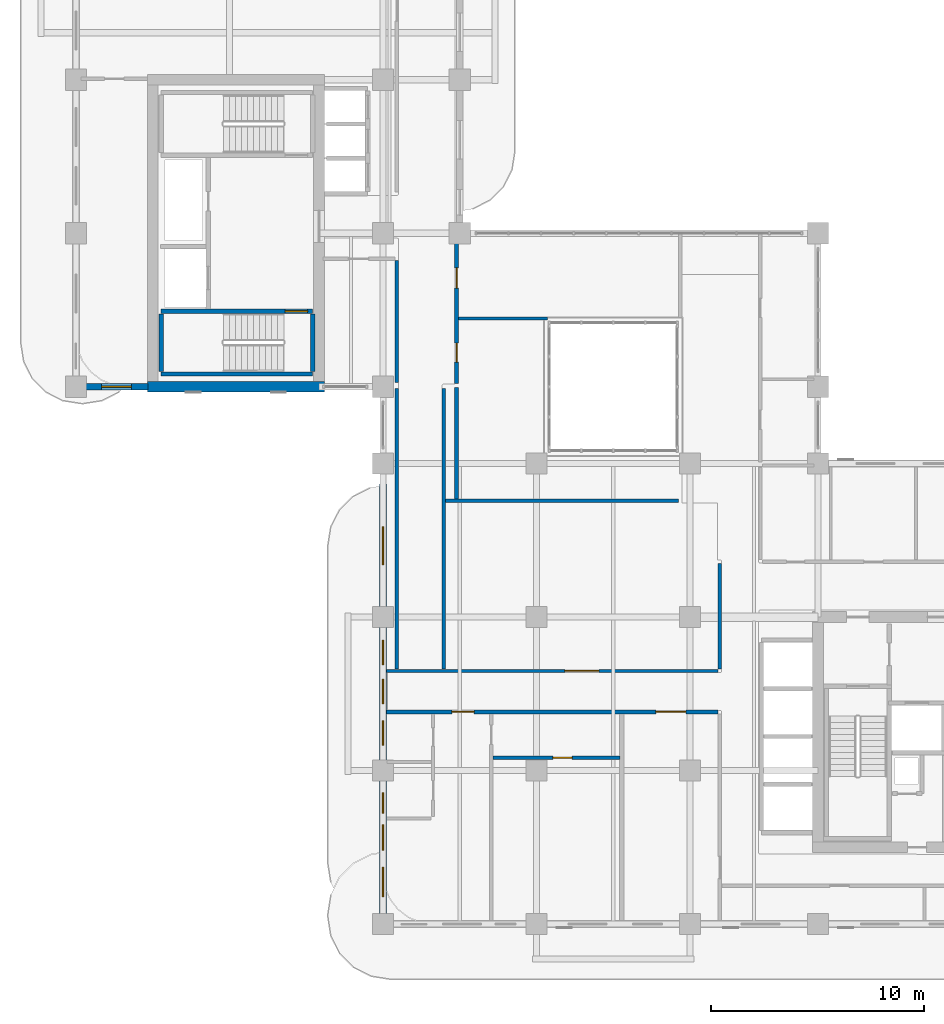
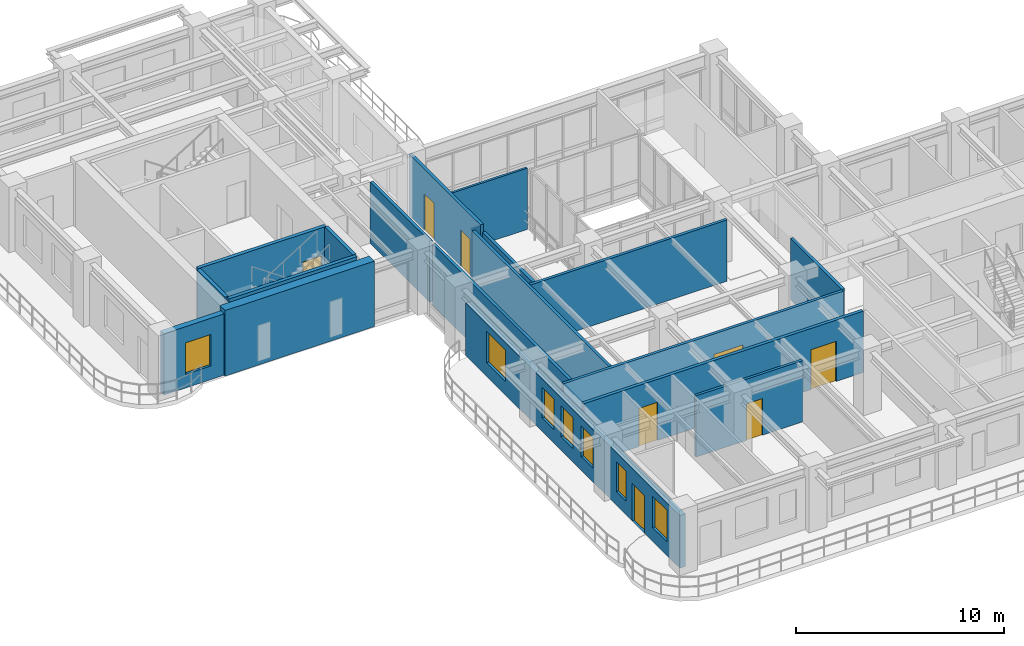
# One storey, part 11 of 20: 18 walls, 8 doors, 7 windows, 15 openings.
"""IFC4 building model written with IfcOpenShell, lengths in metres."""

from ifc_helpers import new_model, si_unit, derived_unit, direction, frame, frame_2d, origin, place, context, subcontext, project, spatial, rectangle, extrude, source, transform, mapped, material, layer, layer_set, type_object, type_shapes, element, fill, save


model = new_model("IFC4")

# Units and contexts
model_context = context("Model", 3, precision=1e-05, world=origin(), true_north=direction((0.0, 1.0)))
body_context = subcontext(model_context, "Body", "Model", "MODEL_VIEW")
ifc_project = project(units=[si_unit("LENGTHUNIT", "METRE"), si_unit("AREAUNIT", "SQUARE_METRE"), si_unit("VOLUMEUNIT", "CUBIC_METRE"), si_unit("PLANEANGLEUNIT", "RADIAN"), si_unit("MASSUNIT", "GRAM", prefix="KILO"), si_unit("THERMODYNAMICTEMPERATUREUNIT", "KELVIN"), si_unit("POWERUNIT", "WATT"), derived_unit("THERMALTRANSMITTANCEUNIT", [(si_unit("POWERUNIT", "WATT"), 1), (si_unit("AREAUNIT", "SQUARE_METRE"), -1), (si_unit("THERMODYNAMICTEMPERATUREUNIT", "KELVIN"), -1)])], contexts=[model_context])

# Site, building, storey
site_placement = place(None, origin())
site = spatial("IfcSite", under=ifc_project, at=site_placement, CompositionType="ELEMENT")
building_placement = place(site_placement, origin())
building = spatial("IfcBuilding", under=site, at=building_placement, Name="Zahravan Archway Hotel and Residences", CompositionType="ELEMENT")
storey_placement = place(building_placement, frame((0.0, 0.0, 154.14990234375)))
storey = spatial("IfcBuildingStorey", under=building, at=storey_placement, Name="L38", CompositionType="ELEMENT", Elevation=154.14990234375)

# Wall
ifc_material_1 = material(Name="Concrete C60/75", Category="concrete")
ifc_layer_1 = layer(ifc_material_1, 0.5, Name="Concrete C60/75", Category="concrete")
ifc_layer_set_1 = layer_set([ifc_layer_1], Name="Concrete C60/75")
wall_type_1 = type_object("IfcWallType", Name="CW-CORE-500", PredefinedType="SHEAR", material=ifc_layer_set_1)
wall_1_placement = place(storey_placement, frame((3.35009765625, 25.199951171875, 0.0), z_axis=(0.0, 0.0, 1.0), x_axis=(1.0, 0.0, 0.0)))
element("IfcWall", 1, at=wall_1_placement, inside=storey, type_object=wall_type_1, Name="L38 Core B Shear S Wall 500 mm", PredefinedType="SHEAR", context=body_context, shape_type="SweptSolid", body=[
    extrude(rectangle(XDim=8.2998046875, YDim=0.5, at=frame_2d((4.14990234375, 0.0))), origin(), (0.0, 0.0, 1.0), 3.85009765625),
])

# Wall, openings, door, windows
ifc_material_2 = material(Name="Agra Buff Sandstone & Insulated Backup", Category="masonry")
ifc_layer_2 = layer(ifc_material_2, 0.320068359375, Name="Agra Buff Sandstone & Insulated Backup", Category="masonry")
ifc_layer_set_2 = layer_set([ifc_layer_2], Name="Agra Buff Sandstone & Insulated Backup")
wall_type_2 = type_object("IfcWallType", Name="EW-SAND-320", PredefinedType="SOLIDWALL", material=ifc_layer_set_2)
wall_2_placement = place(storey_placement, frame((14.39990234375, 0.050048828125, 0.0), z_axis=(0.0, 0.0, 1.0), x_axis=(0.0, 1.0, 0.0)))
wall_2 = element("IfcWall", 2, at=wall_2_placement, inside=storey, type_object=wall_type_2, Name="L38 Exterior Sandstone Wall WA-WL", PredefinedType="SOLIDWALL", context=body_context, shape_type="SweptSolid", body=[
    extrude(rectangle(XDim=20.599853515625, YDim=0.320068359375, at=frame_2d((10.2998046875, 0.0))), origin(), (0.0, 0.0, 1.0), 3.085205078125),
])
opening_1_placement = place(wall_2_placement, frame((3.39990234375, 0.0, 0.0)))
opening_1 = element("IfcOpeningElement", 3, at=opening_1_placement, cuts=wall_2, Name="Opening ED-BL1", PredefinedType="OPENING", context=body_context, shape_type="SweptSolid", body=[
    extrude(rectangle(XDim=1.199951171875, YDim=2.199951171875, at=frame_2d((0.60009765625, 1.10009765625))), frame((0.0, 0.169921875, 0.0), z_axis=(0.0, -1.0, 0.0), x_axis=(1.0, 0.0, 0.0)), (0.0, 0.0, 1.0), 0.340087890625),
])
opening_2_placement = place(wall_2_placement, frame((1.22509765625, 0.0, 0.800048828125)))
opening_2 = element("IfcOpeningElement", 4, at=opening_2_placement, cuts=wall_2, Name="Opening W-03", PredefinedType="OPENING", context=body_context, shape_type="SweptSolid", body=[
    extrude(rectangle(XDim=1.39990234375, YDim=1.85009765625, at=frame_2d((0.699951171875, 0.925048828125))), frame((0.0, 0.169921875, 0.0), z_axis=(0.0, -1.0, 0.0), x_axis=(1.0, 0.0, 0.0)), (0.0, 0.0, 1.0), 0.340087890625),
])
opening_3_placement = place(wall_2_placement, frame((5.154052734375, 0.0, 0.800048828125)))
opening_3 = element("IfcOpeningElement", 5, at=opening_3_placement, cuts=wall_2, Name="Opening W-04", PredefinedType="OPENING", context=body_context, shape_type="SweptSolid", body=[
    extrude(rectangle(XDim=0.949951171875, YDim=1.75, at=frame_2d((0.47509765625, 0.875))), frame((0.0, 0.169921875, 0.0), z_axis=(0.0, -1.0, 0.0), x_axis=(1.0, 0.0, 0.0)), (0.0, 0.0, 1.0), 0.340087890625),
])
opening_4_placement = place(wall_2_placement, frame((8.345947265625, 0.0, 0.800048828125)))
opening_4 = element("IfcOpeningElement", 6, at=opening_4_placement, cuts=wall_2, Name="Opening W-05", PredefinedType="OPENING", context=body_context, shape_type="SweptSolid", body=[
    extrude(rectangle(XDim=1.14990234375, YDim=1.800048828125, at=frame_2d((0.574951171875, 0.89990234375))), frame((0.0, 0.169921875, 0.0), z_axis=(0.0, -1.0, 0.0), x_axis=(1.0, 0.0, 0.0)), (0.0, 0.0, 1.0), 0.340087890625),
])
opening_5_placement = place(wall_2_placement, frame((10.284912109375, 0.0, 0.800048828125)))
opening_5 = element("IfcOpeningElement", 7, at=opening_5_placement, cuts=wall_2, Name="Opening W-05", PredefinedType="OPENING", context=body_context, shape_type="SweptSolid", body=[
    extrude(rectangle(XDim=1.14990234375, YDim=1.800048828125, at=frame_2d((0.574951171875, 0.89990234375))), frame((0.0, 0.169921875, 0.0), z_axis=(0.0, -1.0, 0.0), x_axis=(1.0, 0.0, 0.0)), (0.0, 0.0, 1.0), 0.340087890625),
])
opening_6_placement = place(wall_2_placement, frame((12.114013671875, 0.0, 0.800048828125)))
opening_6 = element("IfcOpeningElement", 8, at=opening_6_placement, cuts=wall_2, Name="Opening W-05", PredefinedType="OPENING", context=body_context, shape_type="SweptSolid", body=[
    extrude(rectangle(XDim=1.14990234375, YDim=1.800048828125, at=frame_2d((0.574951171875, 0.89990234375))), frame((0.0, 0.169921875, 0.0), z_axis=(0.0, -1.0, 0.0), x_axis=(1.0, 0.0, 0.0)), (0.0, 0.0, 1.0), 0.340087890625),
])
opening_7_placement = place(wall_2_placement, frame((16.7900390625, 0.0, 0.800048828125)))
opening_7 = element("IfcOpeningElement", 9, at=opening_7_placement, cuts=wall_2, Name="Opening W-02", PredefinedType="OPENING", context=body_context, shape_type="SweptSolid", body=[
    extrude(rectangle(XDim=1.800048828125, YDim=1.85009765625, at=frame_2d((0.89990234375, 0.925048828125))), frame((0.0, 0.169921875, 0.0), z_axis=(0.0, -1.0, 0.0), x_axis=(1.0, 0.0, 0.0)), (0.0, 0.0, 1.0), 0.340087890625),
])
ifc_material_3 = material(Name="Bronze-Anodized Glazed Aluminium", Category="aluminium")
door_type_1 = type_object("IfcDoorType", Name="ED-BALC-1200", OperationType="SLIDING_TO_LEFT", PredefinedType="DOOR", material=ifc_material_3)
shared_shape_1 = source(origin(), body_context, "Body", "SweptSolid", [
    extrude(rectangle(XDim=1.199951171875, YDim=2.199951171875, at=frame_2d((0.60009765625, 1.10009765625))), frame((0.0, 0.02490234375, 0.0), z_axis=(0.0, -1.0, 0.0), x_axis=(1.0, 0.0, 0.0)), (0.0, 0.0, 1.0), 0.050048828125),
])
type_shapes(door_type_1, [shared_shape_1])
door_1_placement = place(opening_1_placement, origin())
door_1 = element("IfcDoor", 10, at=door_1_placement, inside=storey, type_object=door_type_1, Name="L38 Outdoor Access Sliding Door (SLB-BAL-L38-WA)", OperationType="SLIDING_TO_LEFT", OverallHeight=2.199951171875, OverallWidth=1.199951171875, PredefinedType="DOOR", context=body_context, shape_type="MappedRepresentation", body=[
    mapped(shared_shape_1, transform((0.0, 0.0, 0.0), scale=1.0)),
])
fill(opening_1, door_1)
ifc_material_4 = material(Name="Bronze-Anodized Thermal-Break Aluminium & Low-E Glass", Category="aluminium")
window_type_1 = type_object("IfcWindowType", Name="WIN-TWR-1400", PartitioningType="SINGLE_PANEL", PredefinedType="WINDOW", material=ifc_material_4)
shared_shape_2 = source(origin(), body_context, "Body", "SweptSolid", [
    extrude(rectangle(XDim=1.39990234375, YDim=1.85009765625, at=frame_2d((0.699951171875, 0.925048828125))), frame((0.0, 0.030029296875, 0.0), z_axis=(0.0, -1.0, 0.0), x_axis=(1.0, 0.0, 0.0)), (0.0, 0.0, 1.0), 0.06005859375),
])
type_shapes(window_type_1, [shared_shape_2])
window_1_placement = place(opening_2_placement, origin())
window_1 = element("IfcWindow", 11, at=window_1_placement, inside=storey, type_object=window_type_1, Name="L38 Loggia Window 15", OverallHeight=1.85009765625, OverallWidth=1.39990234375, PartitioningType="SINGLE_PANEL", PredefinedType="WINDOW", context=body_context, shape_type="MappedRepresentation", body=[
    mapped(shared_shape_2, transform((0.0, 0.0, 0.0), scale=1.0)),
])
fill(opening_2, window_1)
window_type_2 = type_object("IfcWindowType", Name="WIN-NAR-950", PartitioningType="SINGLE_PANEL", PredefinedType="WINDOW", material=ifc_material_4)
shared_shape_3 = source(origin(), body_context, "Body", "SweptSolid", [
    extrude(rectangle(XDim=0.949951171875, YDim=1.75, at=frame_2d((0.47509765625, 0.875))), frame((0.0, 0.030029296875, 0.0), z_axis=(0.0, -1.0, 0.0), x_axis=(1.0, 0.0, 0.0)), (0.0, 0.0, 1.0), 0.06005859375),
])
type_shapes(window_type_2, [shared_shape_3])
window_2_placement = place(opening_3_placement, origin())
window_2 = element("IfcWindow", 12, at=window_2_placement, inside=storey, type_object=window_type_2, Name="L38 Loggia Window 16", OverallHeight=1.75, OverallWidth=0.949951171875, PartitioningType="SINGLE_PANEL", PredefinedType="WINDOW", context=body_context, shape_type="MappedRepresentation", body=[
    mapped(shared_shape_3, transform((0.0, 0.0, 0.0), scale=1.0)),
])
fill(opening_3, window_2)
window_type_3 = type_object("IfcWindowType", Name="WIN-TWR-1800", PartitioningType="DOUBLE_PANEL_VERTICAL", PredefinedType="WINDOW", material=ifc_material_4)
shared_shape_4 = source(origin(), body_context, "Body", "SweptSolid", [
    extrude(rectangle(XDim=1.800048828125, YDim=1.85009765625, at=frame_2d((0.89990234375, 0.925048828125))), frame((0.0, 0.030029296875, 0.0), z_axis=(0.0, -1.0, 0.0), x_axis=(1.0, 0.0, 0.0)), (0.0, 0.0, 1.0), 0.06005859375),
])
type_shapes(window_type_3, [shared_shape_4])
window_3_placement = place(opening_7_placement, origin())
window_3 = element("IfcWindow", 13, at=window_3_placement, inside=storey, type_object=window_type_3, Name="L38 Loggia Window 20", OverallHeight=1.85009765625, OverallWidth=1.800048828125, PartitioningType="DOUBLE_PANEL_VERTICAL", PredefinedType="WINDOW", context=body_context, shape_type="MappedRepresentation", body=[
    mapped(shared_shape_4, transform((0.0, 0.0, 0.0), scale=1.0)),
])
fill(opening_7, window_3)
window_type_4 = type_object("IfcWindowType", Name="WIN-TWR-1150", PartitioningType="SINGLE_PANEL", PredefinedType="WINDOW", material=ifc_material_4)
shared_shape_5 = source(origin(), body_context, "Body", "SweptSolid", [
    extrude(rectangle(XDim=1.14990234375, YDim=1.800048828125, at=frame_2d((0.574951171875, 0.89990234375))), frame((0.0, 0.030029296875, 0.0), z_axis=(0.0, -1.0, 0.0), x_axis=(1.0, 0.0, 0.0)), (0.0, 0.0, 1.0), 0.06005859375),
])
type_shapes(window_type_4, [shared_shape_5])
window_4_placement = place(opening_4_placement, origin())
window_4 = element("IfcWindow", 14, at=window_4_placement, inside=storey, type_object=window_type_4, Name="L38 Loggia Window 17", OverallHeight=1.800048828125, OverallWidth=1.14990234375, PartitioningType="SINGLE_PANEL", PredefinedType="WINDOW", context=body_context, shape_type="MappedRepresentation", body=[
    mapped(shared_shape_5, transform((0.0, 0.0, 0.0), scale=1.0)),
])
fill(opening_4, window_4)
window_5_placement = place(opening_5_placement, origin())
window_5 = element("IfcWindow", 15, at=window_5_placement, inside=storey, type_object=window_type_4, Name="L38 Loggia Window 18", OverallHeight=1.800048828125, OverallWidth=1.14990234375, PartitioningType="SINGLE_PANEL", PredefinedType="WINDOW", context=body_context, shape_type="MappedRepresentation", body=[
    mapped(shared_shape_5, transform((0.0, 0.0, 0.0), scale=1.0)),
])
fill(opening_5, window_5)
window_6_placement = place(opening_6_placement, origin())
window_6 = element("IfcWindow", 16, at=window_6_placement, inside=storey, type_object=window_type_4, Name="L38 Loggia Window 19", OverallHeight=1.800048828125, OverallWidth=1.14990234375, PartitioningType="SINGLE_PANEL", PredefinedType="WINDOW", context=body_context, shape_type="MappedRepresentation", body=[
    mapped(shared_shape_5, transform((0.0, 0.0, 0.0), scale=1.0)),
])
fill(opening_6, window_6)

# Wall, opening, window
wall_3_placement = place(storey_placement, frame((0.0, 25.199951171875, 0.0), z_axis=(0.0, 0.0, 1.0), x_axis=(1.0, 0.0, 0.0)))
wall_3 = element("IfcWall", 17, at=wall_3_placement, inside=storey, type_object=wall_type_2, Name="L38 Exterior Sandstone Wall WB-SW", PredefinedType="SOLIDWALL", context=body_context, shape_type="SweptSolid", body=[
    extrude(rectangle(XDim=3.3798828125, YDim=0.320068359375, at=frame_2d((1.68994140625, 0.0))), origin(), (0.0, 0.0, 1.0), 3.60009765625),
])
opening_8_placement = place(wall_3_placement, frame((1.205078125, 0.0, 0.800048828125)))
opening_8 = element("IfcOpeningElement", 18, at=opening_8_placement, cuts=wall_3, Name="Opening W-03", PredefinedType="OPENING", context=body_context, shape_type="SweptSolid", body=[
    extrude(rectangle(XDim=1.39990234375, YDim=1.85009765625, at=frame_2d((0.699951171875, 0.925048828125))), frame((0.0, 0.169921875, 0.0), z_axis=(0.0, -1.0, 0.0), x_axis=(1.0, 0.0, 0.0)), (0.0, 0.0, 1.0), 0.340087890625),
])
window_7_placement = place(opening_8_placement, origin())
window_7 = element("IfcWindow", 19, at=window_7_placement, inside=storey, type_object=window_type_1, Name="L38 Loggia Window 21", OverallHeight=1.85009765625, OverallWidth=1.39990234375, PartitioningType="SINGLE_PANEL", PredefinedType="WINDOW", context=body_context, shape_type="MappedRepresentation", body=[
    mapped(shared_shape_2, transform((0.0, 0.0, 0.0), scale=1.0)),
])
fill(opening_8, window_7)

# Wall, opening, door
ifc_material_5 = material(Name="Fire-Rated Gypsum & Concrete Block", Category="concrete")
ifc_layer_3 = layer(ifc_material_5, 0.159912109375, Name="Fire-Rated Gypsum & Concrete Block", Category="concrete")
ifc_layer_set_3 = layer_set([ifc_layer_3], Name="Fire-Rated Gypsum & Concrete Block")
wall_type_3 = type_object("IfcWallType", Name="PW-CORR-160", PredefinedType="PARTITIONING", material=ifc_layer_set_3)
wall_4_placement = place(storey_placement, frame((14.568115234375, 11.8701171875, 0.0), z_axis=(0.0, 0.0, 1.0), x_axis=(1.0, 0.0, 0.0)))
wall_4 = element("IfcWall", 20, at=wall_4_placement, inside=storey, type_object=wall_type_3, Name="L38 Partition WA-CN", PredefinedType="PARTITIONING", context=body_context, shape_type="SweptSolid", body=[
    extrude(rectangle(XDim=15.5419921875, YDim=0.159912109375, at=frame_2d((7.77099609375, 0.0))), origin(), (0.0, 0.0, 1.0), 3.60009765625),
])
opening_9_placement = place(wall_4_placement, frame((8.35693359375, 0.0, 0.0)))
opening_9 = element("IfcOpeningElement", 21, at=opening_9_placement, cuts=wall_4, Name="Opening D-P2", PredefinedType="OPENING", context=body_context, shape_type="SweptSolid", body=[
    extrude(rectangle(XDim=1.60009765625, YDim=2.39990234375, at=frame_2d((0.800048828125, 1.199951171875))), frame((0.0, 0.08984375, 0.0), z_axis=(0.0, -1.0, 0.0), x_axis=(1.0, 0.0, 0.0)), (0.0, 0.0, 1.0), 0.179931640625),
])
door_type_2 = type_object("IfcDoorType", Name="ID-PUBLIC-1600", OperationType="DOUBLE_DOOR_SINGLE_SWING", PredefinedType="DOOR", material=ifc_material_3)
shared_shape_6 = source(origin(), body_context, "Body", "SweptSolid", [
    extrude(rectangle(XDim=1.60009765625, YDim=2.39990234375, at=frame_2d((0.800048828125, 1.199951171875))), frame((0.0, 0.02490234375, 0.0), z_axis=(0.0, -1.0, 0.0), x_axis=(1.0, 0.0, 0.0)), (0.0, 0.0, 1.0), 0.050048828125),
])
type_shapes(door_type_2, [shared_shape_6])
door_2_placement = place(opening_9_placement, origin())
door_2 = element("IfcDoor", 22, at=door_2_placement, inside=storey, type_object=door_type_2, Name="L38 Atrium Spa Door", OperationType="DOUBLE_DOOR_SINGLE_SWING", OverallHeight=2.39990234375, OverallWidth=1.60009765625, PredefinedType="DOOR", context=body_context, shape_type="MappedRepresentation", body=[
    mapped(shared_shape_6, transform((0.0, 0.0, 0.0), scale=1.0)),
])
fill(opening_9, door_2)

# Walls
wall_5_placement = place(storey_placement, frame((30.199951171875, 11.9599609375, 0.0), z_axis=(0.0, 0.0, 1.0), x_axis=(0.0, 1.0, 0.0)))
element("IfcWall", 23, at=wall_5_placement, inside=storey, type_object=wall_type_3, Name="L38 Partition WA-FW", PredefinedType="PARTITIONING", context=body_context, shape_type="SweptSolid", body=[
    extrude(rectangle(XDim=4.949951171875, YDim=0.159912109375, at=frame_2d((2.47509765625, 0.0))), origin(), (0.0, 0.0, 1.0), 3.60009765625),
])
for number, where, z_axis, x_axis, name in (
    (24, (15.050048828125, 11.9599609375, 0.0), (0.0, 0.0, 1.0), (0.0, 1.0, 0.0), "L38 Partition LNK-W"),
    (25, (17.25, 11.9599609375, 0.0), (0.0, 0.0, 1.0), (0.0, 1.0, 0.0), "L38 Partition LNK-E"),
):
    element("IfcWall", number, at=place(storey_placement, frame(where, z_axis=z_axis, x_axis=x_axis)), inside=storey, type_object=wall_type_3, Name=name, PredefinedType="PARTITIONING", context=body_context, shape_type="SweptSolid", body=[
        extrude(rectangle(XDim=13.150146484375, YDim=0.159912109375, at=frame_2d((6.5751953125, 0.0))), origin(), (0.0, 0.0, 1.0), 3.60009765625),
    ])
wall_6_placement = place(storey_placement, frame((15.050048828125, 25.389892578125, 0.0), z_axis=(0.0, 0.0, 1.0), x_axis=(0.0, 1.0, 0.0)))
element("IfcWall", 26, at=wall_6_placement, inside=storey, type_object=wall_type_3, Name="L38 Partition FB1-E", PredefinedType="PARTITIONING", context=body_context, shape_type="SweptSolid", body=[
    extrude(rectangle(XDim=5.72021484375, YDim=0.159912109375, at=frame_2d((2.860107421875, 0.0))), origin(), (0.0, 0.0, 1.0), 3.60009765625),
])
wall_7_placement = place(storey_placement, frame((17.340087890625, 19.85009765625, 0.0), z_axis=(0.0, 0.0, 1.0), x_axis=(1.0, 0.0, 0.0)))
element("IfcWall", 27, at=wall_7_placement, inside=storey, type_object=wall_type_3, Name="L38 Partition ATR-S", PredefinedType="PARTITIONING", context=body_context, shape_type="SweptSolid", body=[
    extrude(rectangle(XDim=10.919921875, YDim=0.159912109375, at=frame_2d((5.4599609375, 0.0))), origin(), (0.0, 0.0, 1.0), 3.60009765625),
])

# Wall, openings, doors
ifc_layer_4 = layer(ifc_material_5, 0.179931640625, Name="Fire-Rated Gypsum & Concrete Block", Category="concrete")
ifc_layer_set_4 = layer_set([ifc_layer_4], Name="Fire-Rated Gypsum & Concrete Block")
wall_type_4 = type_object("IfcWallType", Name="PW-CORR-180", PredefinedType="PARTITIONING", material=ifc_layer_set_4)
wall_8_placement = place(storey_placement, frame((14.568115234375, 9.949951171875, 0.0), z_axis=(0.0, 0.0, 1.0), x_axis=(1.0, 0.0, 0.0)))
wall_8 = element("IfcWall", 28, at=wall_8_placement, inside=storey, type_object=wall_type_4, Name="L38 Partition WA-CS", PredefinedType="PARTITIONING", context=body_context, shape_type="SweptSolid", body=[
    extrude(rectangle(XDim=15.5419921875, YDim=0.179931640625, at=frame_2d((7.77099609375, 0.0))), origin(), (0.0, 0.0, 1.0), 3.60009765625),
])
opening_10_placement = place(wall_8_placement, frame((3.06201171875, 0.0, 0.0)))
opening_10 = element("IfcOpeningElement", 29, at=opening_10_placement, cuts=wall_8, Name="Opening D-U1", PredefinedType="OPENING", context=body_context, shape_type="SweptSolid", body=[
    extrude(rectangle(XDim=1.050048828125, YDim=2.25, at=frame_2d((0.52490234375, 1.125))), frame((0.0, 0.10009765625, 0.0), z_axis=(0.0, -1.0, 0.0), x_axis=(1.0, 0.0, 0.0)), (0.0, 0.0, 1.0), 0.199951171875),
])
opening_11_placement = place(wall_8_placement, frame((12.632080078125, 0.0, 0.0)))
opening_11 = element("IfcOpeningElement", 30, at=opening_11_placement, cuts=wall_8, Name="Opening D-P1", PredefinedType="OPENING", context=body_context, shape_type="SweptSolid", body=[
    extrude(rectangle(XDim=1.39990234375, YDim=2.35009765625, at=frame_2d((0.699951171875, 1.175048828125))), frame((0.0, 0.10009765625, 0.0), z_axis=(0.0, -1.0, 0.0), x_axis=(1.0, 0.0, 0.0)), (0.0, 0.0, 1.0), 0.199951171875),
])
door_type_3 = type_object("IfcDoorType", Name="ID-PUBLIC-1400", OperationType="DOUBLE_DOOR_SINGLE_SWING", PredefinedType="DOOR", material=ifc_material_3)
shared_shape_7 = source(origin(), body_context, "Body", "SweptSolid", [
    extrude(rectangle(XDim=1.39990234375, YDim=2.35009765625, at=frame_2d((0.699951171875, 1.175048828125))), frame((0.0, 0.02490234375, 0.0), z_axis=(0.0, -1.0, 0.0), x_axis=(1.0, 0.0, 0.0)), (0.0, 0.0, 1.0), 0.050048828125),
])
type_shapes(door_type_3, [shared_shape_7])
door_3_placement = place(opening_11_placement, origin())
door_3 = element("IfcDoor", 31, at=door_3_placement, inside=storey, type_object=door_type_3, Name="L38 South Yoga Salon Door", OperationType="DOUBLE_DOOR_SINGLE_SWING", OverallHeight=2.35009765625, OverallWidth=1.39990234375, PredefinedType="DOOR", context=body_context, shape_type="MappedRepresentation", body=[
    mapped(shared_shape_7, transform((0.0, 0.0, 0.0), scale=1.0)),
])
fill(opening_11, door_3)
ifc_material_6 = material(Name="Hardwood Veneer Timber", Category="wood")
door_type_4 = type_object("IfcDoorType", Name="ID-UNIT-1050", OperationType="NOTDEFINED", PredefinedType="DOOR", material=ifc_material_6)
shared_shape_8 = source(origin(), body_context, "Body", "SweptSolid", [
    extrude(rectangle(XDim=1.050048828125, YDim=2.25, at=frame_2d((0.52490234375, 1.125))), frame((0.0, 0.02490234375, 0.0), z_axis=(0.0, -1.0, 0.0), x_axis=(1.0, 0.0, 0.0)), (0.0, 0.0, 1.0), 0.050048828125),
])
type_shapes(door_type_4, [shared_shape_8])
door_4_placement = place(opening_10_placement, origin())
door_4 = element("IfcDoor", 32, at=door_4_placement, inside=storey, type_object=door_type_4, Name="L38 Flat S1 Entrance Door", OperationType="SINGLE_SWING_RIGHT", OverallHeight=2.25, OverallWidth=1.050048828125, PredefinedType="DOOR", context=body_context, shape_type="MappedRepresentation", body=[
    mapped(shared_shape_8, transform((0.0, 0.0, 0.0), scale=1.0)),
])
fill(opening_10, door_4)

# Wall
ifc_material_7 = material(Name="Acoustic Stud Partition")
ifc_layer_5 = layer(ifc_material_7, 0.125, Name="Acoustic Stud Partition")
ifc_layer_set_5 = layer_set([ifc_layer_5], Name="Acoustic Stud Partition")
wall_type_5 = type_object("IfcWallType", Name="PW-INT-125", PredefinedType="PARTITIONING", material=ifc_layer_set_5)
wall_9_placement = place(storey_placement, frame((17.93994140625, 28.39990234375, 0.0), z_axis=(0.0, 0.0, 1.0), x_axis=(1.0, 0.0, 0.0)))
element("IfcWall", 33, at=wall_9_placement, inside=storey, type_object=wall_type_5, Name="L38 Partition ATR-NW1", PredefinedType="PARTITIONING", context=body_context, shape_type="SweptSolid", body=[
    extrude(rectangle(XDim=4.170166015625, YDim=0.125, at=frame_2d((2.0849609375, 0.0))), origin(), (0.0, 0.0, 1.0), 3.60009765625),
])

# Wall, opening, door
ifc_layer_6 = layer(ifc_material_7, 0.14990234375, Name="Acoustic Stud Partition")
ifc_layer_set_6 = layer_set([ifc_layer_6], Name="Acoustic Stud Partition")
wall_type_6 = type_object("IfcWallType", Name="PW-UNIT-150", PredefinedType="PARTITIONING", material=ifc_layer_set_6)
wall_10_placement = place(storey_placement, frame((19.570068359375, 7.800048828125, 0.0), z_axis=(0.0, 0.0, 1.0), x_axis=(1.0, 0.0, 0.0)))
wall_10 = element("IfcWall", 34, at=wall_10_placement, inside=storey, type_object=wall_type_6, Name="L38 Partition FL-S1-GH", PredefinedType="PARTITIONING", context=body_context, shape_type="SweptSolid", body=[
    extrude(rectangle(XDim=5.93994140625, YDim=0.14990234375, at=frame_2d((2.969970703125, 0.0))), origin(), (0.0, 0.0, 1.0), 3.60009765625),
])
opening_12_placement = place(wall_10_placement, frame((2.797607421875, 0.0, 0.0)))
opening_12 = element("IfcOpeningElement", 35, at=opening_12_placement, cuts=wall_10, Name="Opening D-I2", PredefinedType="OPENING", context=body_context, shape_type="SweptSolid", body=[
    extrude(rectangle(XDim=0.89990234375, YDim=2.14990234375, at=frame_2d((0.449951171875, 1.074951171875))), frame((0.0, 0.0849609375, 0.0), z_axis=(0.0, -1.0, 0.0), x_axis=(1.0, 0.0, 0.0)), (0.0, 0.0, 1.0), 0.169921875),
])
door_type_5 = type_object("IfcDoorType", Name="ID-INT-900", OperationType="NOTDEFINED", PredefinedType="DOOR", material=ifc_material_6)
shared_shape_9 = source(origin(), body_context, "Body", "SweptSolid", [
    extrude(rectangle(XDim=0.89990234375, YDim=2.14990234375, at=frame_2d((0.449951171875, 1.074951171875))), frame((0.0, 0.02490234375, 0.0), z_axis=(0.0, -1.0, 0.0), x_axis=(1.0, 0.0, 0.0)), (0.0, 0.0, 1.0), 0.050048828125),
])
type_shapes(door_type_5, [shared_shape_9])
door_5_placement = place(opening_12_placement, origin())
door_5 = element("IfcDoor", 36, at=door_5_placement, inside=storey, type_object=door_type_5, Name="L38 Flat S1 Bedroom 1 Door", OperationType="SINGLE_SWING_RIGHT", OverallHeight=2.14990234375, OverallWidth=0.89990234375, PredefinedType="DOOR", context=body_context, shape_type="MappedRepresentation", body=[
    mapped(shared_shape_9, transform((0.0, 0.0, 0.0), scale=1.0)),
])
fill(opening_12, door_5)

# Wall
ifc_layer_7 = layer(ifc_material_7, 0.169921875, Name="Acoustic Stud Partition")
ifc_layer_set_7 = layer_set([ifc_layer_7], Name="Acoustic Stud Partition")
wall_type_7 = type_object("IfcWallType", Name="PW-UNIT-170", PredefinedType="PARTITIONING", material=ifc_layer_set_7)
wall_11_placement = place(storey_placement, frame((17.85009765625, 19.93994140625, 0.0), z_axis=(0.0, 0.0, 1.0), x_axis=(0.0, 1.0, 0.0)))
element("IfcWall", 37, at=wall_11_placement, inside=storey, type_object=wall_type_7, Name="L38 Partition ATR-NWSL", PredefinedType="PARTITIONING", context=body_context, shape_type="SweptSolid", body=[
    extrude(rectangle(XDim=5.219970703125, YDim=0.169921875, at=frame_2d((2.60986328125, 0.0))), origin(), (0.0, 0.0, 1.0), 3.28515625),
])

# Wall, openings, doors
wall_12_placement = place(storey_placement, frame((17.85009765625, 25.340087890625, 0.0), z_axis=(0.0, 0.0, 1.0), x_axis=(0.0, 1.0, 0.0)))
wall_12 = element("IfcWall", 38, at=wall_12_placement, inside=storey, type_object=wall_type_7, Name="L38 Partition ATR-W2", PredefinedType="PARTITIONING", context=body_context, shape_type="SweptSolid", body=[
    extrude(rectangle(XDim=6.869873046875, YDim=0.169921875, at=frame_2d((3.43505859375, 0.0))), origin(), (0.0, 0.0, 1.0), 3.60009765625),
])
opening_13_placement = place(wall_12_placement, frame((1.010009765625, 0.0, 0.0)))
opening_13 = element("IfcOpeningElement", 39, at=opening_13_placement, cuts=wall_12, Name="Opening D-I2", PredefinedType="OPENING", context=body_context, shape_type="SweptSolid", body=[
    extrude(rectangle(XDim=0.89990234375, YDim=2.14990234375, at=frame_2d((0.449951171875, 1.074951171875))), frame((0.0, 0.094970703125, 0.0), z_axis=(0.0, -1.0, 0.0), x_axis=(1.0, 0.0, 0.0)), (0.0, 0.0, 1.0), 0.18994140625),
])
opening_14_placement = place(wall_12_placement, frame((4.485107421875, 0.0, 0.0)))
opening_14 = element("IfcOpeningElement", 40, at=opening_14_placement, cuts=wall_12, Name="Opening D-I1", PredefinedType="OPENING", context=body_context, shape_type="SweptSolid", body=[
    extrude(rectangle(XDim=0.949951171875, YDim=2.14990234375, at=frame_2d((0.47509765625, 1.074951171875))), frame((0.0, 0.094970703125, 0.0), z_axis=(0.0, -1.0, 0.0), x_axis=(1.0, 0.0, 0.0)), (0.0, 0.0, 1.0), 0.18994140625),
])
door_type_6 = type_object("IfcDoorType", Name="ID-INT-950", OperationType="NOTDEFINED", PredefinedType="DOOR", material=ifc_material_6)
shared_shape_10 = source(origin(), body_context, "Body", "SweptSolid", [
    extrude(rectangle(XDim=0.949951171875, YDim=2.14990234375, at=frame_2d((0.47509765625, 1.074951171875))), frame((0.0, 0.02490234375, 0.0), z_axis=(0.0, -1.0, 0.0), x_axis=(1.0, 0.0, 0.0)), (0.0, 0.0, 1.0), 0.050048828125),
])
type_shapes(door_type_6, [shared_shape_10])
door_6_placement = place(opening_14_placement, origin())
door_6 = element("IfcDoor", 41, at=door_6_placement, inside=storey, type_object=door_type_6, Name="L38 Atrium North Lounge Door", OperationType="SINGLE_SWING_LEFT", OverallHeight=2.14990234375, OverallWidth=0.949951171875, PredefinedType="DOOR", context=body_context, shape_type="MappedRepresentation", body=[
    mapped(shared_shape_10, transform((0.0, 0.0, 0.0), scale=1.0)),
])
fill(opening_14, door_6)
door_7_placement = place(opening_13_placement, origin())
door_7 = element("IfcDoor", 42, at=door_7_placement, inside=storey, type_object=door_type_5, Name="L38 Atrium West Study Door", OperationType="SINGLE_SWING_LEFT", OverallHeight=2.14990234375, OverallWidth=0.89990234375, PredefinedType="DOOR", context=body_context, shape_type="MappedRepresentation", body=[
    mapped(shared_shape_9, transform((0.0, 0.0, 0.0), scale=1.0)),
])
fill(opening_13, door_7)

# Walls
ifc_material_8 = material(Name="Concrete C50/60", Category="concrete")
ifc_layer_8 = layer(ifc_material_8, 0.199951171875, Name="Concrete C50/60", Category="concrete")
ifc_layer_set_8 = layer_set([ifc_layer_8], Name="Concrete C50/60")
wall_type_8 = type_object("IfcWallType", Name="SW-STAIR-200", PredefinedType="SHEAR", material=ifc_layer_set_8)
wall_13_placement = place(storey_placement, frame((4.0, 25.800048828125, 0.0), z_axis=(0.0, 0.0, 1.0), x_axis=(1.0, 0.0, 0.0)))
element("IfcWall", 43, at=wall_13_placement, inside=storey, type_object=wall_type_8, Name="L38 Stairwell RC Wall CB-SB1S", PredefinedType="SHEAR", context=body_context, shape_type="SweptSolid", body=[
    extrude(rectangle(XDim=7.10009765625, YDim=0.199951171875, at=frame_2d((3.550048828125, 0.0))), origin(), (0.0, 0.0, 1.0), 3.85009765625),
])
for number, where, z_axis, x_axis, name in (
    (44, (4.0, 25.919921875, 0.0), (0.0, 0.0, 1.0), (0.0, 1.0, 0.0), "L38 Stairwell RC Wall CB-SB1W"),
    (45, (11.10009765625, 25.919921875, 0.0), (0.0, 0.0, 1.0), (0.0, 1.0, 0.0), "L38 Stairwell RC Wall CB-SB1E"),
):
    element("IfcWall", number, at=place(storey_placement, frame(where, z_axis=z_axis, x_axis=x_axis)), inside=storey, type_object=wall_type_8, Name=name, PredefinedType="SHEAR", context=body_context, shape_type="SweptSolid", body=[
        extrude(rectangle(XDim=2.7001953125, YDim=0.199951171875, at=frame_2d((1.35009765625, 0.0))), origin(), (0.0, 0.0, 1.0), 3.85009765625),
    ])

# Wall, opening, door
wall_14_placement = place(storey_placement, frame((4.0, 28.739990234375, 0.0), z_axis=(0.0, 0.0, 1.0), x_axis=(1.0, 0.0, 0.0)))
wall_14 = element("IfcWall", 46, at=wall_14_placement, inside=storey, type_object=wall_type_8, Name="L38 Stairwell RC Wall CB-SB1N", PredefinedType="SHEAR", context=body_context, shape_type="SweptSolid", body=[
    extrude(rectangle(XDim=7.10009765625, YDim=0.199951171875, at=frame_2d((3.550048828125, 0.0))), origin(), (0.0, 0.0, 1.0), 3.85009765625),
])
opening_15_placement = place(wall_14_placement, frame((5.81494140625, 0.0, 0.0)))
opening_15 = element("IfcOpeningElement", 47, at=opening_15_placement, cuts=wall_14, Name="Opening FD-S1", PredefinedType="OPENING", context=body_context, shape_type="SweptSolid", body=[
    extrude(rectangle(XDim=1.050048828125, YDim=2.199951171875, at=frame_2d((0.52490234375, 1.10009765625))), frame((0.0, 0.10986328125, 0.0), z_axis=(0.0, -1.0, 0.0), x_axis=(1.0, 0.0, 0.0)), (0.0, 0.0, 1.0), 0.219970703125),
])
ifc_material_9 = material(Name="Fire-Rated Painted Steel", Category="steel")
door_type_7 = type_object("IfcDoorType", Name="FD-STAIR-1100", OperationType="NOTDEFINED", PredefinedType="DOOR", material=ifc_material_9)
shared_shape_11 = source(origin(), body_context, "Body", "SweptSolid", [
    extrude(rectangle(XDim=1.050048828125, YDim=2.199951171875, at=frame_2d((0.52490234375, 1.10009765625))), frame((0.0, 0.02490234375, 0.0), z_axis=(0.0, -1.0, 0.0), x_axis=(1.0, 0.0, 0.0)), (0.0, 0.0, 1.0), 0.050048828125),
])
type_shapes(door_type_7, [shared_shape_11])
door_8_placement = place(opening_15_placement, origin())
door_8 = element("IfcDoor", 48, at=door_8_placement, inside=storey, type_object=door_type_7, Name="L38 Stair ST-B1 Door", OperationType="SINGLE_SWING_RIGHT", OverallHeight=2.199951171875, OverallWidth=1.050048828125, PredefinedType="DOOR", context=body_context, shape_type="MappedRepresentation", body=[
    mapped(shared_shape_11, transform((0.0, 0.0, 0.0), scale=1.0)),
])
fill(opening_15, door_8)

save(model, "model.ifc")
